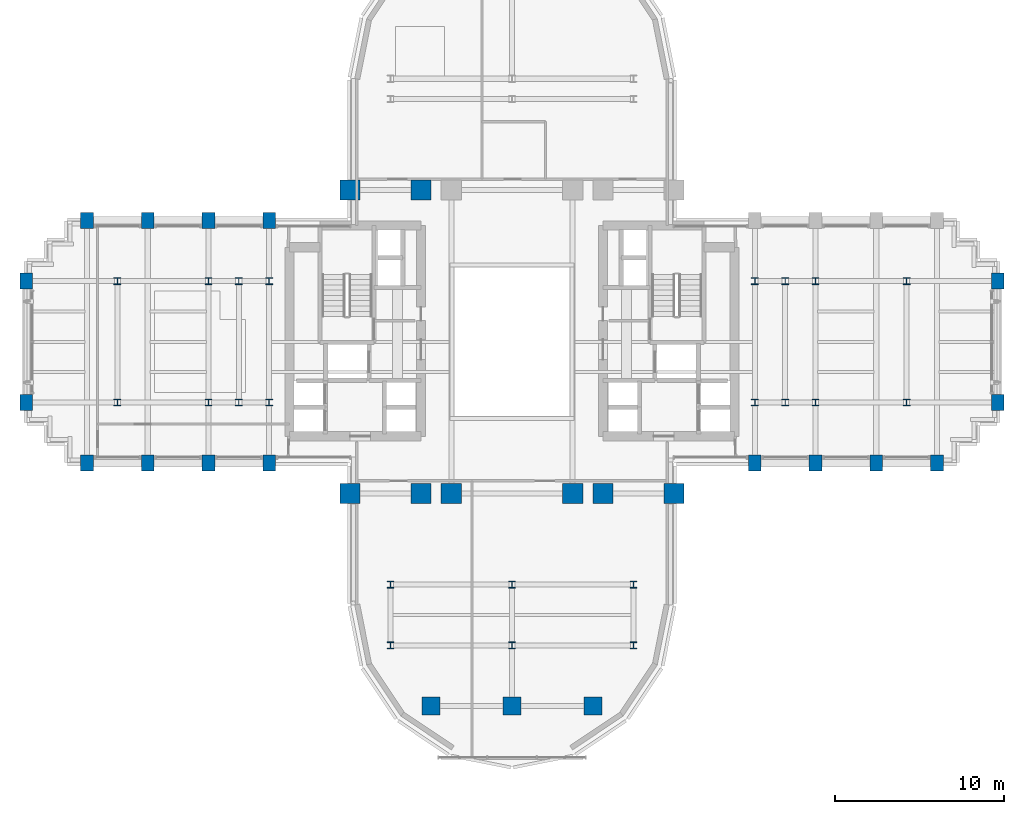
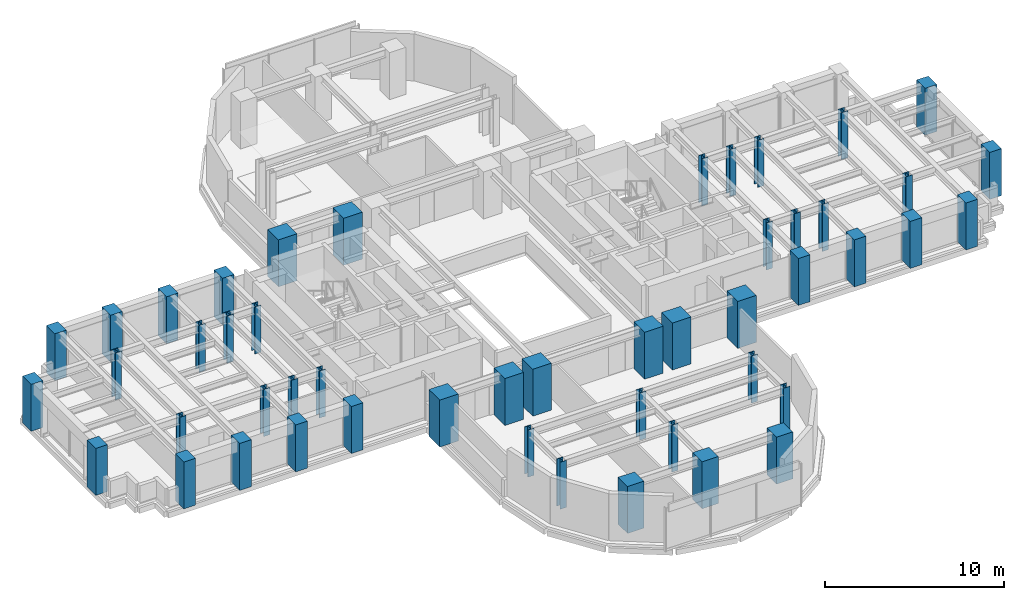
# One storey, part 1 of 16: 49 columns.
"""IFC4 building model written with IfcOpenShell, lengths in metres."""

from ifc_helpers import new_model, si_unit, direction, frame, origin, origin_2d, place, context, subcontext, project, spatial, rectangle, i_section, extrude, source, transform, mapped, material, material_profile, profile_set, type_object, element, save


model = new_model("IFC4")

# Units and contexts
model_context = context("Model", 3, precision=1e-05, world=origin(), true_north=direction((0.0, 1.0)))
body_context = subcontext(model_context, "Body", "Model", "MODEL_VIEW")
ifc_project = project(units=[si_unit("LENGTHUNIT", "METRE"), si_unit("AREAUNIT", "SQUARE_METRE"), si_unit("VOLUMEUNIT", "CUBIC_METRE"), si_unit("PLANEANGLEUNIT", "RADIAN"), si_unit("MASSUNIT", "GRAM", prefix="KILO")], contexts=[model_context])

# Site, building, storey
site_placement = place(None, origin())
site = spatial("IfcSite", under=ifc_project, at=site_placement, CompositionType="ELEMENT")
building_placement = place(site_placement, origin())
building = spatial("IfcBuilding", under=site, at=building_placement, Name="Keilestroom Media Tower", CompositionType="ELEMENT")
storey_placement = place(building_placement, frame((0.0, 0.0, 30.60009765625)))
storey = spatial("IfcBuildingStorey", under=building, at=storey_placement, Name="L06", CompositionType="ELEMENT", Elevation=30.60009765625)

# Columns
ifc_material_1 = material(Name="Precast concrete C40/50", Category="concrete")
ifc_material_profile_1 = material_profile(ifc_material_1, rectangle(XDim=0.75, YDim=0.949951171875, at=origin_2d()), Name="PC 950x750")
ifc_profile_set_1 = profile_set([ifc_material_profile_1], Name="Precast concrete C40/50")
column_type_1 = type_object("IfcColumnType", Name="Structural-Column-PC-950x750", PredefinedType="COLUMN", material=ifc_profile_set_1)
shared_shape_1 = source(origin(), body_context, "Body", "SweptSolid", [
    extrude(rectangle(XDim=0.75, YDim=0.949951171875, at=origin_2d()), origin(), (0.0, 0.0, 1.0), 3.199951171875),
])
for number, where, z_axis, x_axis, name in (
    (1, (-28.800048828125, -3.60009765625, 0.0), (0.0, 0.0, 1.0), (1.0, 0.0, 0.0), "L06 Column PC-1 (-28.8,-3.6)"),
    (2, (-28.800048828125, 3.60009765625, 0.0), (0.0, 0.0, 1.0), (1.0, 0.0, 0.0), "L06 Column PC-1 (-28.8,+3.6)"),
    (3, (-25.199951171875, -7.199951171875, 0.0), (0.0, 0.0, 1.0), (1.0, 0.0, 0.0), "L06 Column PC-1 (-25.2,-7.2)"),
    (4, (-25.199951171875, 7.199951171875, 0.0), (0.0, 0.0, 1.0), (1.0, 0.0, 0.0), "L06 Column PC-1 (-25.2,+7.2)"),
    (5, (-21.60009765625, -7.199951171875, 0.0), (0.0, 0.0, 1.0), (1.0, 0.0, 0.0), "L06 Column PC-1 (-21.6,-7.2)"),
    (6, (-21.60009765625, 7.199951171875, 0.0), (0.0, 0.0, 1.0), (1.0, 0.0, 0.0), "L06 Column PC-1 (-21.6,+7.2)"),
    (7, (-18.0, -7.199951171875, 0.0), (0.0, 0.0, 1.0), (1.0, 0.0, 0.0), "L06 Column PC-1 (-18.0,-7.2)"),
    (8, (-18.0, 7.199951171875, 0.0), (0.0, 0.0, 1.0), (1.0, 0.0, 0.0), "L06 Column PC-1 (-18.0,+7.2)"),
    (9, (-14.39990234375, -7.199951171875, 0.0), (0.0, 0.0, 1.0), (1.0, 0.0, 0.0), "L06 Column PC-1 (-14.4,-7.2)"),
    (10, (-14.39990234375, 7.199951171875, 0.0), (0.0, 0.0, 1.0), (1.0, 0.0, 0.0), "L06 Column PC-1 (-14.4,+7.2)"),
    (11, (14.39990234375, -7.199951171875, 0.0), (0.0, 0.0, 1.0), (1.0, 0.0, 0.0), "L06 Column PC-1 (+14.4,-7.2)"),
    (12, (18.0, -7.199951171875, 0.0), (0.0, 0.0, 1.0), (1.0, 0.0, 0.0), "L06 Column PC-1 (+18.0,-7.2)"),
    (13, (21.60009765625, -7.199951171875, 0.0), (0.0, 0.0, 1.0), (1.0, 0.0, 0.0), "L06 Column PC-1 (+21.6,-7.2)"),
    (14, (25.199951171875, -7.199951171875, 0.0), (0.0, 0.0, 1.0), (1.0, 0.0, 0.0), "L06 Column PC-1 (+25.2,-7.2)"),
    (15, (28.800048828125, -3.60009765625, 0.0), (0.0, 0.0, 1.0), (1.0, 0.0, 0.0), "L06 Column PC-1 (+28.8,-3.6)"),
    (16, (28.800048828125, 3.60009765625, 0.0), (0.0, 0.0, 1.0), (1.0, 0.0, 0.0), "L06 Column PC-1 (+28.8,+3.6)"),
):
    element("IfcColumn", number, at=place(storey_placement, frame(where, z_axis=z_axis, x_axis=x_axis)), inside=storey, type_object=column_type_1, Name=name, PredefinedType="COLUMN", context=body_context, shape_type="MappedRepresentation", body=[
        mapped(shared_shape_1, transform((0.0, 0.0, 0.0), x_axis=(1.0, 0.0, 0.0), y_axis=(0.0, 1.0, 0.0), z_axis=(0.0, 0.0, 1.0), scale=1.0)),
    ])
ifc_material_2 = material(Name="Steel S460", Category="steel")
ifc_material_profile_2 = material_profile(ifc_material_2, i_section(OverallWidth=0.404052734375, OverallDepth=0.406982421875, WebThickness=0.02197265625, FlangeThickness=0.035400390625, at=origin_2d()), Name="HD 400x347")
ifc_profile_set_2 = profile_set([ifc_material_profile_2], Name="Steel S460")
column_type_2 = type_object("IfcColumnType", Name="Structural-Column-HD-400x347", PredefinedType="COLUMN", material=ifc_profile_set_2)
shared_shape_2 = source(origin(), body_context, "Body", "SweptSolid", [
    extrude(i_section(OverallWidth=0.404052734375, OverallDepth=0.406982421875, WebThickness=0.02197265625, FlangeThickness=0.035400390625, at=origin_2d()), origin(), (0.0, 0.0, 1.0), 3.199951171875),
])
for number, where, z_axis, x_axis, name in (
    (17, (-23.39990234375, -3.60009765625, 0.0), (0.0, 0.0, 1.0), (1.0, 0.0, 0.0), "L06 Column SC-2 (-23.4,-3.6)"),
    (18, (-23.39990234375, 3.60009765625, 0.0), (0.0, 0.0, 1.0), (1.0, 0.0, 0.0), "L06 Column SC-2 (-23.4,+3.6)"),
    (19, (-18.0, -3.60009765625, 0.0), (0.0, 0.0, 1.0), (1.0, 0.0, 0.0), "L06 Column SC-2 (-18.0,-3.6)"),
    (20, (-18.0, 3.60009765625, 0.0), (0.0, 0.0, 1.0), (1.0, 0.0, 0.0), "L06 Column SC-2 (-18.0,+3.6)"),
    (21, (-16.199951171875, -3.60009765625, 0.0), (0.0, 0.0, 1.0), (1.0, 0.0, 0.0), "L06 Column SC-2 (-16.2,-3.6)"),
    (22, (-16.199951171875, 3.60009765625, 0.0), (0.0, 0.0, 1.0), (1.0, 0.0, 0.0), "L06 Column SC-2 (-16.2,+3.6)"),
    (23, (-14.39990234375, -3.60009765625, 0.0), (0.0, 0.0, 1.0), (1.0, 0.0, 0.0), "L06 Column SC-2 (-14.4,-3.6)"),
    (24, (-14.39990234375, 3.60009765625, 0.0), (0.0, 0.0, 1.0), (1.0, 0.0, 0.0), "L06 Column SC-2 (-14.4,+3.6)"),
    (25, (-7.199951171875, -18.0, 0.0), (0.0, 0.0, 1.0), (1.0, 0.0, 0.0), "L06 Column SC-2 (-7.2,-18.0)"),
    (26, (-7.199951171875, -14.39990234375, 0.0), (0.0, 0.0, 1.0), (1.0, 0.0, 0.0), "L06 Column SC-2 (-7.2,-14.4)"),
    (27, (0.0, -18.0, 0.0), (0.0, 0.0, 1.0), (1.0, 0.0, 0.0), "L06 Column SC-2 (+0.0,-18.0)"),
    (28, (0.0, -14.39990234375, 0.0), (0.0, 0.0, 1.0), (1.0, 0.0, 0.0), "L06 Column SC-2 (+0.0,-14.4)"),
    (29, (7.199951171875, -18.0, 0.0), (0.0, 0.0, 1.0), (1.0, 0.0, 0.0), "L06 Column SC-2 (+7.2,-18.0)"),
    (30, (7.199951171875, -14.39990234375, 0.0), (0.0, 0.0, 1.0), (1.0, 0.0, 0.0), "L06 Column SC-2 (+7.2,-14.4)"),
    (31, (14.39990234375, -3.60009765625, 0.0), (0.0, 0.0, 1.0), (1.0, 0.0, 0.0), "L06 Column SC-2 (+14.4,-3.6)"),
    (32, (14.39990234375, 3.60009765625, 0.0), (0.0, 0.0, 1.0), (1.0, 0.0, 0.0), "L06 Column SC-2 (+14.4,+3.6)"),
    (33, (16.199951171875, -3.60009765625, 0.0), (0.0, 0.0, 1.0), (1.0, 0.0, 0.0), "L06 Column SC-2 (+16.2,-3.6)"),
    (34, (16.199951171875, 3.60009765625, 0.0), (0.0, 0.0, 1.0), (1.0, 0.0, 0.0), "L06 Column SC-2 (+16.2,+3.6)"),
    (35, (18.0, -3.60009765625, 0.0), (0.0, 0.0, 1.0), (1.0, 0.0, 0.0), "L06 Column SC-2 (+18.0,-3.6)"),
    (36, (18.0, 3.60009765625, 0.0), (0.0, 0.0, 1.0), (1.0, 0.0, 0.0), "L06 Column SC-2 (+18.0,+3.6)"),
    (37, (23.39990234375, -3.60009765625, 0.0), (0.0, 0.0, 1.0), (1.0, 0.0, 0.0), "L06 Column SC-2 (+23.4,-3.6)"),
    (38, (23.39990234375, 3.60009765625, 0.0), (0.0, 0.0, 1.0), (1.0, 0.0, 0.0), "L06 Column SC-2 (+23.4,+3.6)"),
):
    element("IfcColumn", number, at=place(storey_placement, frame(where, z_axis=z_axis, x_axis=x_axis)), inside=storey, type_object=column_type_2, Name=name, PredefinedType="COLUMN", context=body_context, shape_type="MappedRepresentation", body=[
        mapped(shared_shape_2, transform((0.0, 0.0, 0.0), x_axis=(1.0, 0.0, 0.0), y_axis=(0.0, 1.0, 0.0), z_axis=(0.0, 0.0, 1.0), scale=1.0)),
    ])
ifc_material_3 = material(Name="Concrete C70/85", Category="concrete")
ifc_material_profile_3 = material_profile(ifc_material_3, rectangle(XDim=1.199951171875, YDim=1.199951171875, at=origin_2d()), Name="RC 1200x1200")
ifc_profile_set_3 = profile_set([ifc_material_profile_3], Name="Concrete C70/85")
column_type_3 = type_object("IfcColumnType", Name="Structural-Column-RC-1200x1200", PredefinedType="COLUMN", material=ifc_profile_set_3)
shared_shape_3 = source(origin(), body_context, "Body", "SweptSolid", [
    extrude(rectangle(XDim=1.199951171875, YDim=1.199951171875, at=origin_2d()), origin(), (0.0, 0.0, 1.0), 3.199951171875),
])
for number, where, z_axis, x_axis, name in (
    (39, (-9.60009765625, -9.0, 0.0), (0.0, 0.0, 1.0), (1.0, 0.0, 0.0), "L06 Column MC-2 (-9.6,-9.0)"),
    (40, (-9.60009765625, 9.0, 0.0), (0.0, 0.0, 1.0), (1.0, 0.0, 0.0), "L06 Column MC-2 (-9.6,+9.0)"),
    (41, (-5.39990234375, -9.0, 0.0), (0.0, 0.0, 1.0), (1.0, 0.0, 0.0), "L06 Column MC-2 (-5.4,-9.0)"),
    (42, (-5.39990234375, 9.0, 0.0), (0.0, 0.0, 1.0), (1.0, 0.0, 0.0), "L06 Column MC-2 (-5.4,+9.0)"),
    (43, (-3.60009765625, -9.0, 0.0), (0.0, 0.0, 1.0), (1.0, 0.0, 0.0), "L06 Column MC-2 (-3.6,-9.0)"),
    (44, (3.60009765625, -9.0, 0.0), (0.0, 0.0, 1.0), (1.0, 0.0, 0.0), "L06 Column MC-2 (+3.6,-9.0)"),
    (45, (5.39990234375, -9.0, 0.0), (0.0, 0.0, 1.0), (1.0, 0.0, 0.0), "L06 Column MC-2 (+5.4,-9.0)"),
    (46, (9.60009765625, -9.0, 0.0), (0.0, 0.0, 1.0), (1.0, 0.0, 0.0), "L06 Column MC-2 (+9.6,-9.0)"),
):
    element("IfcColumn", number, at=place(storey_placement, frame(where, z_axis=z_axis, x_axis=x_axis)), inside=storey, type_object=column_type_3, Name=name, PredefinedType="COLUMN", context=body_context, shape_type="MappedRepresentation", body=[
        mapped(shared_shape_3, transform((0.0, 0.0, 0.0), x_axis=(1.0, 0.0, 0.0), y_axis=(0.0, 1.0, 0.0), z_axis=(0.0, 0.0, 1.0), scale=1.0)),
    ])
ifc_material_4 = material(Name="Concrete C55/67", Category="concrete")
ifc_material_profile_4 = material_profile(ifc_material_4, rectangle(XDim=1.050048828125, YDim=1.050048828125, at=origin_2d()), Name="RC 1050x1050")
ifc_profile_set_4 = profile_set([ifc_material_profile_4], Name="Concrete C55/67")
column_type_4 = type_object("IfcColumnType", Name="Structural-Column-RC-1050x1050", PredefinedType="COLUMN", material=ifc_profile_set_4)
shared_shape_4 = source(origin(), body_context, "Body", "SweptSolid", [
    extrude(rectangle(XDim=1.050048828125, YDim=1.050048828125, at=origin_2d()), origin(), (0.0, 0.0, 1.0), 3.199951171875),
])
for number, where, z_axis, x_axis, name in (
    (47, (-4.800048828125, -21.60009765625, 0.0), (0.0, 0.0, 1.0), (1.0, 0.0, 0.0), "L06 Column MC-3 (-4.8,-21.6)"),
    (48, (0.0, -21.60009765625, 0.0), (0.0, 0.0, 1.0), (1.0, 0.0, 0.0), "L06 Column MC-3 (+0.0,-21.6)"),
    (49, (4.800048828125, -21.60009765625, 0.0), (0.0, 0.0, 1.0), (1.0, 0.0, 0.0), "L06 Column MC-3 (+4.8,-21.6)"),
):
    element("IfcColumn", number, at=place(storey_placement, frame(where, z_axis=z_axis, x_axis=x_axis)), inside=storey, type_object=column_type_4, Name=name, PredefinedType="COLUMN", context=body_context, shape_type="MappedRepresentation", body=[
        mapped(shared_shape_4, transform((0.0, 0.0, 0.0), x_axis=(1.0, 0.0, 0.0), y_axis=(0.0, 1.0, 0.0), z_axis=(0.0, 0.0, 1.0), scale=1.0)),
    ])

save(model, "model.ifc")
